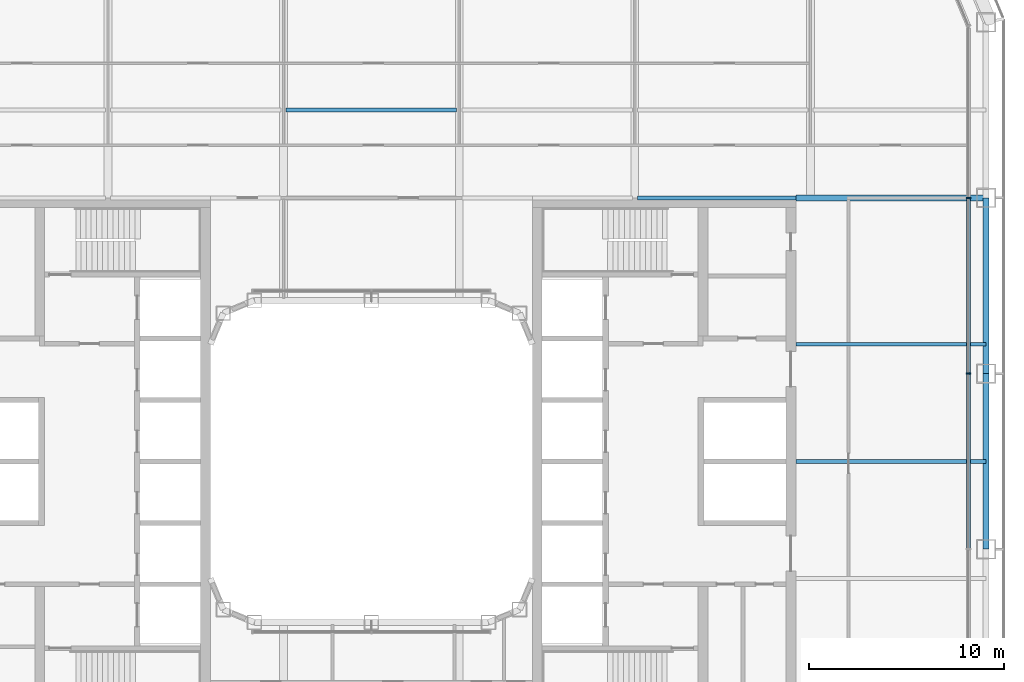
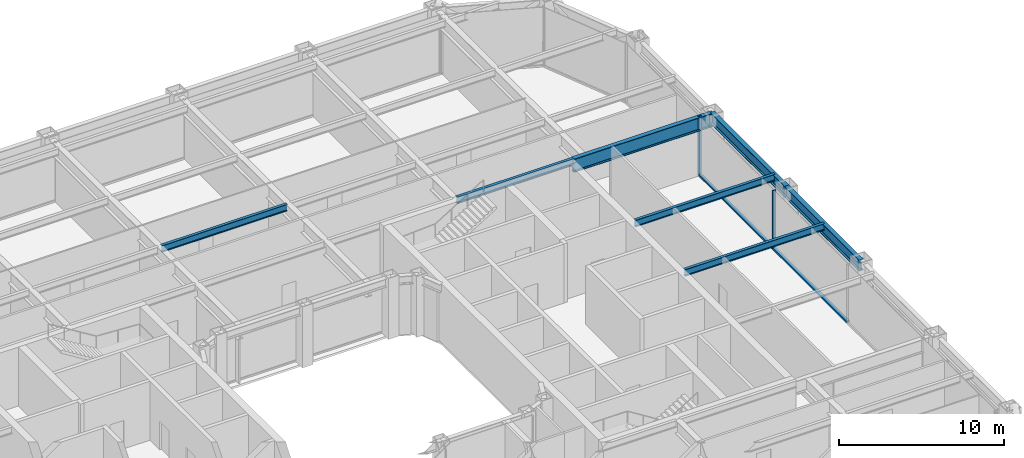
# One storey, part 9 of 24: 7 beams, 4 members, 1 element without a shape of its own.
"""IFC4 building model written with IfcOpenShell, lengths in metres."""

from ifc_helpers import new_model, si_unit, direction, frame, origin, origin_2d, place, context, subcontext, project, spatial, rectangle, i_section, extrude, material, layer, layer_set, material_profile, profile_set, type_object, element, aggregate, save


model = new_model("IFC4")

# Units and contexts
model_context = context("Model", 3, precision=1e-05, world=origin(), true_north=direction((0.0, 1.0)))
body_context = subcontext(model_context, "Body", "Model", "MODEL_VIEW")
ifc_project = project(units=[si_unit("LENGTHUNIT", "METRE"), si_unit("AREAUNIT", "SQUARE_METRE"), si_unit("VOLUMEUNIT", "CUBIC_METRE"), si_unit("PLANEANGLEUNIT", "RADIAN"), si_unit("MASSUNIT", "GRAM", prefix="KILO")], contexts=[model_context])

# Site, building, storey
site_placement = place(None, origin())
site = spatial("IfcSite", under=ifc_project, at=site_placement, CompositionType="ELEMENT")
building_placement = place(site_placement, origin())
building = spatial("IfcBuilding", under=site, at=building_placement, Name="Siwar Civic Tower", CompositionType="ELEMENT")
storey_placement = place(building_placement, frame((0.0, 0.0, 76.199951171875)))
storey = spatial("IfcBuildingStorey", under=building, at=storey_placement, Name="L16", CompositionType="ELEMENT", Elevation=76.199951171875)

# Curtain wall, members
ifc_material_1 = material(Name="Aluminium and glass", Category="aluminium")
ifc_layer = layer(ifc_material_1, 0.219970703125)
ifc_layer_set = layer_set([ifc_layer], Name="Aluminium and glass")
curtain_wall_type = type_object("IfcCurtainWallType", Name="ENV-CW-A", PredefinedType="NOTDEFINED", material=ifc_layer_set)
curtain_wall_placement = place(storey_placement, origin())
curtain_wall = element("IfcCurtainWall", 1, at=curtain_wall_placement, inside=storey, type_object=curtain_wall_type, Name="Curtain wall A E", PredefinedType="NOTDEFINED")
ifc_material_2 = material(Name="Aluminium 6063-T6", Category="aluminium")
ifc_material_profile_1 = material_profile(ifc_material_2, rectangle(XDim=0.219970703125, YDim=0.070068359375, at=origin_2d()), Name="AL 220x70")
ifc_profile_set_1 = profile_set([ifc_material_profile_1], Name="Aluminium 6063-T6")
member_type_1 = type_object("IfcMemberType", Name="ENV-MULLION-A", PredefinedType="MULLION", material=ifc_profile_set_1)
member_1_placement = place(storey_placement, frame((30.60009765625, 4.5, 0.0), z_axis=(0.0, 0.0, 1.0), x_axis=(-1.0, 0.0, 0.0)))
member_1 = element("IfcMember", 2, at=member_1_placement, type_object=member_type_1, Name="Mullion A E 4", PredefinedType="MULLION", context=body_context, shape_type="SweptSolid", body=[
    extrude(rectangle(XDim=0.219970703125, YDim=0.070068359375, at=origin_2d()), origin(), (0.0, 0.0, 1.0), 4.35009765625),
])
member_2_placement = place(storey_placement, frame((30.60009765625, 13.5, 0.0), z_axis=(0.0, 0.0, 1.0), x_axis=(-1.0, 0.0, 0.0)))
member_2 = element("IfcMember", 3, at=member_2_placement, type_object=member_type_1, Name="Mullion A E 5", PredefinedType="MULLION", context=body_context, shape_type="SweptSolid", body=[
    extrude(rectangle(XDim=0.219970703125, YDim=0.070068359375, at=origin_2d()), origin(), (0.0, 0.0, 1.0), 4.35009765625),
])
ifc_material_3 = material(Name="Aluminium 6063-T6", Category="aluminium")
ifc_material_profile_2 = material_profile(ifc_material_3, rectangle(XDim=0.219970703125, YDim=0.1201171875, at=origin_2d()), Name="AL 220x120")
ifc_profile_set_2 = profile_set([ifc_material_profile_2], Name="Aluminium 6063-T6")
member_type_2 = type_object("IfcMemberType", Name="ENV-TRANSOM-A", PredefinedType="USERDEFINED", material=ifc_profile_set_2)
member_3_placement = place(storey_placement, frame((30.60009765625, -4.465087890625, 0.06005859375), z_axis=(0.0, 1.0, 0.0), x_axis=(-1.0, 0.0, 0.0)))
member_3 = element("IfcMember", 4, at=member_3_placement, type_object=member_type_2, Name="Transom A E 3", ObjectType="TRANSOM", PredefinedType="USERDEFINED", context=body_context, shape_type="SweptSolid", body=[
    extrude(rectangle(XDim=0.219970703125, YDim=0.1201171875, at=origin_2d()), origin(), (0.0, 0.0, 1.0), 8.93017578125),
])
member_4_placement = place(storey_placement, frame((30.60009765625, 4.534912109375, 0.06005859375), z_axis=(0.0, 1.0, 0.0), x_axis=(-1.0, 0.0, 0.0)))
member_4 = element("IfcMember", 5, at=member_4_placement, type_object=member_type_2, Name="Transom A E 4", ObjectType="TRANSOM", PredefinedType="USERDEFINED", context=body_context, shape_type="SweptSolid", body=[
    extrude(rectangle(XDim=0.219970703125, YDim=0.1201171875, at=origin_2d()), origin(), (0.0, 0.0, 1.0), 8.93017578125),
])
aggregate(curtain_wall, [member_1, member_2, member_3, member_4])

# Beams
ifc_material_4 = material(Name="Steel S355", Category="steel")
ifc_material_profile_3 = material_profile(ifc_material_4, i_section(OverallWidth=0.199951171875, OverallDepth=0.5, WebThickness=0.01025390625, FlangeThickness=0.01611328125, FilletRadius=0.02099609375, at=origin_2d()), Name="IPE500")
ifc_profile_set_3 = profile_set([ifc_material_profile_3], Name="Steel S355")
beam_type_1 = type_object("IfcBeamType", Name="STR-FB-IPE500", PredefinedType="JOIST", material=ifc_profile_set_3)
for number, where, z_axis, x_axis, name in (
    (6, (21.75, 0.0, 4.10009765625), (1.0, 0.0, 0.0), (0.0, 1.0, 0.0), "L16/bm/F034"),
    (7, (21.75, 6.0, 4.10009765625), (1.0, 0.0, 0.0), (0.0, 1.0, 0.0), "L16/bm/F036"),
):
    element("IfcBeam", number, at=place(storey_placement, frame(where, z_axis=z_axis, x_axis=x_axis)), inside=storey, type_object=beam_type_1, Name=name, PredefinedType="JOIST", context=body_context, shape_type="SweptSolid", body=[
        extrude(i_section(OverallWidth=0.199951171875, OverallDepth=0.5, WebThickness=0.01025390625, FlangeThickness=0.01611328125, FilletRadius=0.02099609375, at=origin_2d()), origin(), (0.0, 0.0, 1.0), 9.75),
    ])
beam_1_placement = place(storey_placement, frame((13.6298828125, 13.5, 4.10009765625), z_axis=(1.0, 0.0, 0.0), x_axis=(0.0, 1.0, 0.0)))
element("IfcBeam", 8, at=beam_1_placement, inside=storey, type_object=beam_type_1, Name="L16/bm/F044", PredefinedType="JOIST", context=body_context, shape_type="SweptSolid", body=[
    extrude(i_section(OverallWidth=0.199951171875, OverallDepth=0.5, WebThickness=0.01025390625, FlangeThickness=0.01611328125, FilletRadius=0.02099609375, at=origin_2d()), origin(), (0.0, 0.0, 1.0), 8.1201171875),
])
beam_2_placement = place(storey_placement, frame((-4.3701171875, 18.0, 4.10009765625), z_axis=(1.0, 0.0, 0.0), x_axis=(0.0, 1.0, 0.0)))
element("IfcBeam", 9, at=beam_2_placement, inside=storey, type_object=beam_type_1, Name="L16/bm/F049", PredefinedType="JOIST", context=body_context, shape_type="SweptSolid", body=[
    extrude(i_section(OverallWidth=0.199951171875, OverallDepth=0.5, WebThickness=0.01025390625, FlangeThickness=0.01611328125, FilletRadius=0.02099609375, at=origin_2d()), origin(), (0.0, 0.0, 1.0), 8.740234375),
])
ifc_material_5 = material(Name="Steel S355", Category="steel")
ifc_material_profile_4 = material_profile(ifc_material_5, i_section(OverallWidth=0.300048828125, OverallDepth=1.0, WebThickness=0.01904296875, FlangeThickness=0.035888671875, FilletRadius=0.030029296875, at=origin_2d()), Name="HEB1000")
ifc_profile_set_4 = profile_set([ifc_material_profile_4], Name="Steel S355")
beam_type_2 = type_object("IfcBeamType", Name="STR-PG-HEB1000", PredefinedType="BEAM", material=ifc_profile_set_4)
beam_3_placement = place(storey_placement, frame((21.75, 13.5, 3.85009765625), z_axis=(1.0, 0.0, 0.0), x_axis=(0.0, 1.0, 0.0)))
element("IfcBeam", 10, at=beam_3_placement, inside=storey, type_object=beam_type_2, Name="L16/bm/F045", PredefinedType="BEAM", context=body_context, shape_type="SweptSolid", body=[
    extrude(i_section(OverallWidth=0.300048828125, OverallDepth=1.0, WebThickness=0.01904296875, FlangeThickness=0.035888671875, FilletRadius=0.030029296875, at=origin_2d()), origin(), (0.0, 0.0, 1.0), 9.75),
])
ifc_material_6 = material(Name="Steel S355", Category="steel")
ifc_material_profile_5 = material_profile(ifc_material_6, i_section(OverallWidth=0.302978515625, OverallDepth=0.81396484375, WebThickness=0.02099609375, FlangeThickness=0.0400390625, FilletRadius=0.030029296875, at=origin_2d()), Name="HEM800")
ifc_profile_set_5 = profile_set([ifc_material_profile_5], Name="Steel S355")
beam_type_3 = type_object("IfcBeamType", Name="STR-SB-HEM800", PredefinedType="BEAM", material=ifc_profile_set_5)
for number, where, z_axis, x_axis, name in (
    (11, (31.5, -4.5, 3.943115234375), (0.0, 1.0, 0.0), (-1.0, 0.0, 0.0), "L16/bm/SE-2"),
    (12, (31.5, 4.5, 3.943115234375), (0.0, 1.0, 0.0), (-1.0, 0.0, 0.0), "L16/bm/SE-3"),
):
    element("IfcBeam", number, at=place(storey_placement, frame(where, z_axis=z_axis, x_axis=x_axis)), inside=storey, type_object=beam_type_3, Name=name, PredefinedType="BEAM", context=body_context, shape_type="SweptSolid", body=[
        extrude(i_section(OverallWidth=0.302978515625, OverallDepth=0.81396484375, WebThickness=0.02099609375, FlangeThickness=0.0400390625, FilletRadius=0.030029296875, at=origin_2d()), origin(), (0.0, 0.0, 1.0), 9.0),
    ])

save(model, "model.ifc")
